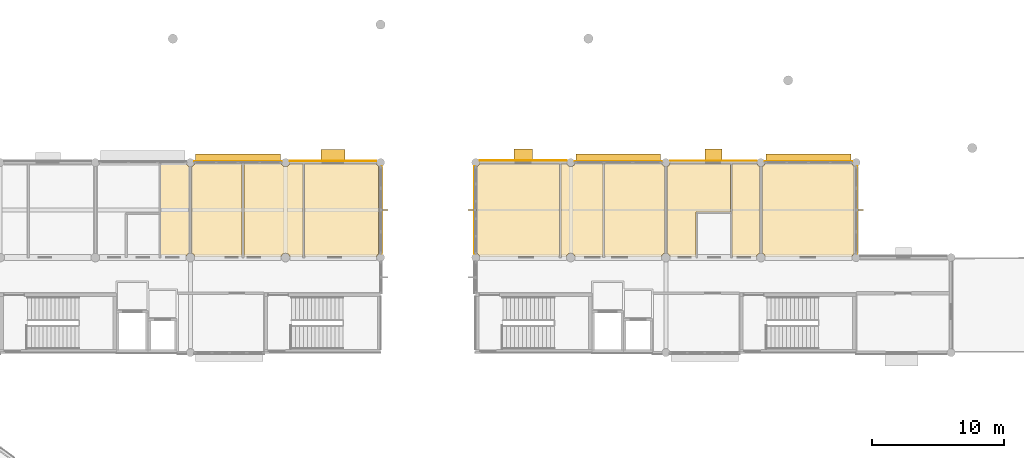
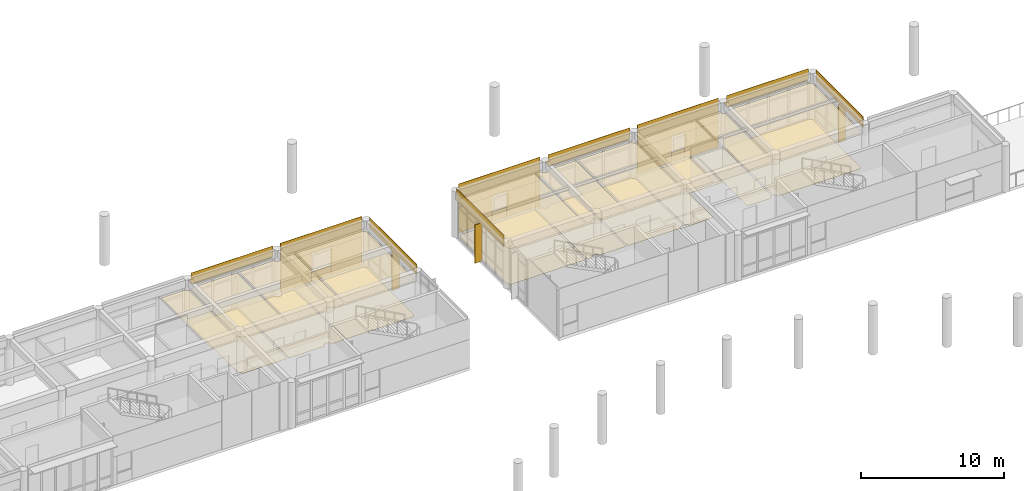
# One storey, part 52 of 55: 37 coverings, 9 shading devices.
"""IFC4 building model written with IfcOpenShell, lengths in metres."""

from ifc_helpers import new_model, si_unit, direction, frame, origin, origin_2d, place, context, subcontext, project, spatial, polyline, rectangle, outline, extrude, material, layer, layer_set, type_object, element, save


model = new_model("IFC4")

# Units and contexts
model_context = context("Model", 3, precision=1e-05, world=origin(), true_north=direction((0.0, 1.0)))
body_context = subcontext(model_context, "Body", "Model", "MODEL_VIEW")
ifc_project = project(units=[si_unit("LENGTHUNIT", "METRE"), si_unit("AREAUNIT", "SQUARE_METRE"), si_unit("VOLUMEUNIT", "CUBIC_METRE"), si_unit("PLANEANGLEUNIT", "RADIAN"), si_unit("MASSUNIT", "GRAM", prefix="KILO")], contexts=[model_context])

# Site, building, storey
site_placement = place(None, origin())
site = spatial("IfcSite", under=ifc_project, at=site_placement, CompositionType="ELEMENT")
building_placement = place(site_placement, origin())
building = spatial("IfcBuilding", under=site, at=building_placement, Name="Namkhue Oval Health Centre", CompositionType="ELEMENT")
storey_placement = place(building_placement, frame((0.0, 0.0, 9.60009765625)))
storey = spatial("IfcBuildingStorey", under=building, at=storey_placement, Name="L02", CompositionType="ELEMENT", Elevation=9.60009765625)

# Coverings
ifc_material_1 = material(Name="Acoustic mineral-fibre cleanroom ceiling", Category="gypsum")
ifc_layer_1 = layer(ifc_material_1, 0.02001953125)
ifc_layer_set_1 = layer_set([ifc_layer_1], Name="Acoustic mineral-fibre cleanroom ceiling")
covering_type_1 = type_object("IfcCoveringType", Name="ACOUSTIC CLEANROOM CEILING 20", PredefinedType="CEILING", material=ifc_layer_set_1)
covering_1_placement = place(storey_placement, frame((0.0, 0.0, 3.0498046875)))
element("IfcCovering", 1, at=covering_1_placement, inside=storey, type_object=covering_type_1, Name="Acoustic Ceiling L02-205 Public Washroom", PredefinedType="CEILING", context=body_context, shape_type="SweptSolid", body=[
    extrude(outline(polyline([(69.739990234375, 97.280029296875), (69.739990234375, 104.31494140625), (71.702392578125, 104.31494140625), (71.7314453125, 104.2451171875), (71.78076171875, 104.180908203125), (71.844970703125, 104.131591796875), (71.919921875, 104.1005859375), (71.929931640625, 104.09912109375), (71.929931640625, 97.52587890625), (71.913330078125, 97.523681640625), (71.83251953125, 97.489990234375), (71.76318359375, 97.43701171875), (71.7099609375, 97.367431640625), (71.675537109375, 97.280029296875), (69.739990234375, 97.280029296875)])), origin(), (0.0, 0.0, 1.0), 0.02001953125),
])
covering_2_placement = place(storey_placement, frame((0.0, 0.0, 3.0498046875)))
element("IfcCovering", 2, at=covering_2_placement, inside=storey, type_object=covering_type_1, Name="Acoustic Ceiling L02-206 Geriatric Examination Room", PredefinedType="CEILING", context=body_context, shape_type="SweptSolid", body=[
    extrude(outline(polyline([(72.324462890625, 97.280029296875), (72.2900390625, 97.367431640625), (72.23681640625, 97.43701171875), (72.16748046875, 97.489990234375), (72.086669921875, 97.523681640625), (72.070068359375, 97.52587890625), (72.070068359375, 104.09912109375), (72.080078125, 104.1005859375), (72.155029296875, 104.131591796875), (72.21923828125, 104.180908203125), (72.2685546875, 104.2451171875), (72.297607421875, 104.31494140625), (75.906982421875, 104.31494140625), (75.906982421875, 97.280029296875), (72.324462890625, 97.280029296875)])), origin(), (0.0, 0.0, 1.0), 0.02001953125),
])
covering_3_placement = place(storey_placement, frame((0.0, 0.0, 3.0498046875)))
element("IfcCovering", 3, at=covering_3_placement, inside=storey, type_object=covering_type_1, Name="Acoustic Ceiling L02-207 Respiratory Function Clinic", PredefinedType="CEILING", context=body_context, shape_type="SweptSolid", body=[
    extrude(outline(polyline([(79.5244140625, 97.280029296875), (79.489990234375, 97.367431640625), (79.43701171875, 97.43701171875), (79.367431640625, 97.489990234375), (79.28662109375, 97.523681640625), (79.199951171875, 97.534912109375), (79.11328125, 97.523681640625), (79.032470703125, 97.489990234375), (78.963134765625, 97.43701171875), (78.909912109375, 97.367431640625), (78.87548828125, 97.280029296875), (76.047119140625, 97.280029296875), (76.047119140625, 104.31494140625), (78.902587890625, 104.31494140625), (78.931396484375, 104.2451171875), (78.980712890625, 104.180908203125), (79.044921875, 104.131591796875), (79.119873046875, 104.1005859375), (79.199951171875, 104.090087890625), (79.2802734375, 104.1005859375), (79.35498046875, 104.131591796875), (79.419189453125, 104.180908203125), (79.468505859375, 104.2451171875), (79.49755859375, 104.31494140625), (80.507080078125, 104.31494140625), (80.507080078125, 97.280029296875), (79.5244140625, 97.280029296875)])), origin(), (0.0, 0.0, 1.0), 0.02001953125),
])
covering_4_placement = place(storey_placement, frame((0.0, 0.0, 3.0498046875)))
element("IfcCovering", 4, at=covering_4_placement, inside=storey, type_object=covering_type_1, Name="Acoustic Ceiling L02-208 Minor Treatment Procedure Room", PredefinedType="CEILING", context=body_context, shape_type="SweptSolid", body=[
    extrude(outline(polyline([(80.64697265625, 97.280029296875), (80.64697265625, 104.31494140625), (86.1025390625, 104.31494140625), (86.131591796875, 104.2451171875), (86.180908203125, 104.180908203125), (86.2451171875, 104.131591796875), (86.2451171875, 97.468505859375), (86.180908203125, 97.419189453125), (86.131591796875, 97.35498046875), (86.1005859375, 97.280029296875), (80.64697265625, 97.280029296875)])), origin(), (0.0, 0.0, 1.0), 0.02001953125),
])
covering_5_placement = place(storey_placement, frame((0.0, 0.0, 3.0498046875)))
element("IfcCovering", 5, at=covering_5_placement, inside=storey, type_object=covering_type_1, Name="Acoustic Ceiling L02-301 Endoscopy Suite", PredefinedType="CEILING", context=body_context, shape_type="SweptSolid", body=[
    extrude(outline(polyline([(93.8994140625, 97.280029296875), (93.868408203125, 97.35498046875), (93.819091796875, 97.419189453125), (93.7548828125, 97.468505859375), (93.7548828125, 104.131591796875), (93.819091796875, 104.180908203125), (93.868408203125, 104.2451171875), (93.8974609375, 104.31494140625), (99.93701171875, 104.31494140625), (99.93701171875, 97.280029296875), (93.8994140625, 97.280029296875)])), origin(), (0.0, 0.0, 1.0), 0.02001953125),
])
covering_6_placement = place(storey_placement, frame((0.0, 0.0, 3.0498046875)))
element("IfcCovering", 6, at=covering_6_placement, inside=storey, type_object=covering_type_1, Name="Acoustic Ceiling L02-302 Scope Decontamination CSSD", PredefinedType="CEILING", context=body_context, shape_type="SweptSolid", body=[
    extrude(outline(polyline([(101.12451171875, 97.280029296875), (101.090087890625, 97.367431640625), (101.036865234375, 97.43701171875), (100.967529296875, 97.489990234375), (100.88671875, 97.523681640625), (100.800048828125, 97.534912109375), (100.71337890625, 97.523681640625), (100.632568359375, 97.489990234375), (100.56298828125, 97.43701171875), (100.510009765625, 97.367431640625), (100.4755859375, 97.280029296875), (100.076904296875, 97.280029296875), (100.076904296875, 104.31494140625), (100.50244140625, 104.31494140625), (100.531494140625, 104.2451171875), (100.580810546875, 104.180908203125), (100.64501953125, 104.131591796875), (100.7197265625, 104.1005859375), (100.800048828125, 104.090087890625), (100.880126953125, 104.1005859375), (100.955078125, 104.131591796875), (101.019287109375, 104.180908203125), (101.068603515625, 104.2451171875), (101.097412109375, 104.31494140625), (103.22705078125, 104.31494140625), (103.22705078125, 97.280029296875), (101.12451171875, 97.280029296875)])), origin(), (0.0, 0.0, 1.0), 0.02001953125),
])
covering_7_placement = place(storey_placement, frame((0.0, 0.0, 3.0498046875)))
element("IfcCovering", 7, at=covering_7_placement, inside=storey, type_object=covering_type_1, Name="Acoustic Ceiling L02-303 Gastroenterology Clinic", PredefinedType="CEILING", context=body_context, shape_type="SweptSolid", body=[
    extrude(outline(polyline([(103.366943359375, 97.280029296875), (103.366943359375, 104.31494140625), (107.702392578125, 104.31494140625), (107.7314453125, 104.2451171875), (107.78076171875, 104.180908203125), (107.844970703125, 104.131591796875), (107.919921875, 104.1005859375), (107.929931640625, 104.09912109375), (107.929931640625, 97.52587890625), (107.913330078125, 97.523681640625), (107.83251953125, 97.489990234375), (107.76318359375, 97.43701171875), (107.7099609375, 97.367431640625), (107.675537109375, 97.280029296875), (103.366943359375, 97.280029296875)])), origin(), (0.0, 0.0, 1.0), 0.02001953125),
])
covering_8_placement = place(storey_placement, frame((0.0, 0.0, 3.0498046875)))
element("IfcCovering", 8, at=covering_8_placement, inside=storey, type_object=covering_type_1, Name="Acoustic Ceiling L02-304 Endoscopy Clean Utility Room", PredefinedType="CEILING", context=body_context, shape_type="SweptSolid", body=[
    extrude(outline(polyline([(112.89990234375, 104.31494140625), (112.89990234375, 100.659912109375), (110.280029296875, 100.659912109375), (110.280029296875, 97.280029296875), (108.324462890625, 97.280029296875), (108.2900390625, 97.367431640625), (108.23681640625, 97.43701171875), (108.16748046875, 97.489990234375), (108.086669921875, 97.523681640625), (108.070068359375, 97.52587890625), (108.070068359375, 104.09912109375), (108.080078125, 104.1005859375), (108.155029296875, 104.131591796875), (108.21923828125, 104.180908203125), (108.2685546875, 104.2451171875), (108.297607421875, 104.31494140625), (112.89990234375, 104.31494140625)])), origin(), (0.0, 0.0, 1.0), 0.02001953125),
])
covering_9_placement = place(storey_placement, frame((0.0, 0.0, 3.0498046875)))
element("IfcCovering", 9, at=covering_9_placement, inside=storey, type_object=covering_type_1, Name="Acoustic Ceiling L02-306 Staff Washroom", PredefinedType="CEILING", context=body_context, shape_type="SweptSolid", body=[
    extrude(outline(polyline([(113.02001953125, 97.280029296875), (113.02001953125, 104.31494140625), (114.902587890625, 104.31494140625), (114.931396484375, 104.2451171875), (114.980712890625, 104.180908203125), (115.044921875, 104.131591796875), (115.119873046875, 104.1005859375), (115.1298828125, 104.09912109375), (115.1298828125, 97.52587890625), (115.11328125, 97.523681640625), (115.032470703125, 97.489990234375), (114.963134765625, 97.43701171875), (114.909912109375, 97.367431640625), (114.87548828125, 97.280029296875), (113.02001953125, 97.280029296875)])), origin(), (0.0, 0.0, 1.0), 0.02001953125),
])
covering_10_placement = place(storey_placement, frame((0.0, 0.0, 3.0498046875)))
element("IfcCovering", 10, at=covering_10_placement, inside=storey, type_object=covering_type_1, Name="Acoustic Ceiling L02-307 Endoscopy Recovery Lounge", PredefinedType="CEILING", context=body_context, shape_type="SweptSolid", body=[
    extrude(outline(polyline([(115.5244140625, 97.280029296875), (115.489990234375, 97.367431640625), (115.43701171875, 97.43701171875), (115.367431640625, 97.489990234375), (115.28662109375, 97.523681640625), (115.27001953125, 97.52587890625), (115.27001953125, 104.09912109375), (115.2802734375, 104.1005859375), (115.35498046875, 104.131591796875), (115.419189453125, 104.180908203125), (115.468505859375, 104.2451171875), (115.49755859375, 104.31494140625), (122.1025390625, 104.31494140625), (122.131591796875, 104.2451171875), (122.180908203125, 104.180908203125), (122.2451171875, 104.131591796875), (122.2451171875, 97.468505859375), (122.180908203125, 97.419189453125), (122.131591796875, 97.35498046875), (122.1005859375, 97.280029296875), (115.5244140625, 97.280029296875)])), origin(), (0.0, 0.0, 1.0), 0.02001953125),
])
ifc_material_2 = material(Name="Homogeneous anti-bacterial clinical vinyl flooring", Category="plastic")
ifc_layer_2 = layer(ifc_material_2, 0.014892578125)
ifc_layer_set_2 = layer_set([ifc_layer_2], Name="Homogeneous anti-bacterial clinical vinyl flooring")
covering_type_2 = type_object("IfcCoveringType", Name="CLINICAL ANTIBACTERIAL VINYL FLOORING 15", PredefinedType="FLOORING", material=ifc_layer_set_2)
covering_11_placement = place(storey_placement, origin())
element("IfcCovering", 11, at=covering_11_placement, inside=storey, type_object=covering_type_2, Name="Clinical Flooring L02-206 Geriatric Examination Room", PredefinedType="FLOORING", context=body_context, shape_type="SweptSolid", body=[
    extrude(outline(polyline([(72.324462890625, 97.280029296875), (72.2900390625, 97.367431640625), (72.23681640625, 97.43701171875), (72.16748046875, 97.489990234375), (72.086669921875, 97.523681640625), (72.070068359375, 97.52587890625), (72.070068359375, 104.09912109375), (72.080078125, 104.1005859375), (72.155029296875, 104.131591796875), (72.21923828125, 104.180908203125), (72.2685546875, 104.2451171875), (72.297607421875, 104.31494140625), (75.906982421875, 104.31494140625), (75.906982421875, 97.280029296875), (72.324462890625, 97.280029296875)])), origin(), (0.0, 0.0, 1.0), 0.014892578125),
])
covering_12_placement = place(storey_placement, origin())
element("IfcCovering", 12, at=covering_12_placement, inside=storey, type_object=covering_type_2, Name="Clinical Flooring L02-207 Respiratory Function Clinic", PredefinedType="FLOORING", context=body_context, shape_type="SweptSolid", body=[
    extrude(outline(polyline([(79.5244140625, 97.280029296875), (79.489990234375, 97.367431640625), (79.43701171875, 97.43701171875), (79.367431640625, 97.489990234375), (79.28662109375, 97.523681640625), (79.199951171875, 97.534912109375), (79.11328125, 97.523681640625), (79.032470703125, 97.489990234375), (78.963134765625, 97.43701171875), (78.909912109375, 97.367431640625), (78.87548828125, 97.280029296875), (76.047119140625, 97.280029296875), (76.047119140625, 104.31494140625), (78.902587890625, 104.31494140625), (78.931396484375, 104.2451171875), (78.980712890625, 104.180908203125), (79.044921875, 104.131591796875), (79.119873046875, 104.1005859375), (79.199951171875, 104.090087890625), (79.2802734375, 104.1005859375), (79.35498046875, 104.131591796875), (79.419189453125, 104.180908203125), (79.468505859375, 104.2451171875), (79.49755859375, 104.31494140625), (80.507080078125, 104.31494140625), (80.507080078125, 97.280029296875), (79.5244140625, 97.280029296875)])), origin(), (0.0, 0.0, 1.0), 0.014892578125),
])
covering_13_placement = place(storey_placement, origin())
element("IfcCovering", 13, at=covering_13_placement, inside=storey, type_object=covering_type_2, Name="Clinical Flooring L02-208 Minor Treatment Procedure Room", PredefinedType="FLOORING", context=body_context, shape_type="SweptSolid", body=[
    extrude(outline(polyline([(80.64697265625, 97.280029296875), (80.64697265625, 104.31494140625), (86.1025390625, 104.31494140625), (86.131591796875, 104.2451171875), (86.180908203125, 104.180908203125), (86.2451171875, 104.131591796875), (86.2451171875, 97.468505859375), (86.180908203125, 97.419189453125), (86.131591796875, 97.35498046875), (86.1005859375, 97.280029296875), (80.64697265625, 97.280029296875)])), origin(), (0.0, 0.0, 1.0), 0.014892578125),
])
covering_14_placement = place(storey_placement, origin())
element("IfcCovering", 14, at=covering_14_placement, inside=storey, type_object=covering_type_2, Name="Clinical Flooring L02-301 Endoscopy Suite", PredefinedType="FLOORING", context=body_context, shape_type="SweptSolid", body=[
    extrude(outline(polyline([(93.8994140625, 97.280029296875), (93.868408203125, 97.35498046875), (93.819091796875, 97.419189453125), (93.7548828125, 97.468505859375), (93.7548828125, 104.131591796875), (93.819091796875, 104.180908203125), (93.868408203125, 104.2451171875), (93.8974609375, 104.31494140625), (99.93701171875, 104.31494140625), (99.93701171875, 97.280029296875), (93.8994140625, 97.280029296875)])), origin(), (0.0, 0.0, 1.0), 0.014892578125),
])
covering_15_placement = place(storey_placement, origin())
element("IfcCovering", 15, at=covering_15_placement, inside=storey, type_object=covering_type_2, Name="Clinical Flooring L02-302 Scope Decontamination CSSD", PredefinedType="FLOORING", context=body_context, shape_type="SweptSolid", body=[
    extrude(outline(polyline([(101.12451171875, 97.280029296875), (101.090087890625, 97.367431640625), (101.036865234375, 97.43701171875), (100.967529296875, 97.489990234375), (100.88671875, 97.523681640625), (100.800048828125, 97.534912109375), (100.71337890625, 97.523681640625), (100.632568359375, 97.489990234375), (100.56298828125, 97.43701171875), (100.510009765625, 97.367431640625), (100.4755859375, 97.280029296875), (100.076904296875, 97.280029296875), (100.076904296875, 104.31494140625), (100.50244140625, 104.31494140625), (100.531494140625, 104.2451171875), (100.580810546875, 104.180908203125), (100.64501953125, 104.131591796875), (100.7197265625, 104.1005859375), (100.800048828125, 104.090087890625), (100.880126953125, 104.1005859375), (100.955078125, 104.131591796875), (101.019287109375, 104.180908203125), (101.068603515625, 104.2451171875), (101.097412109375, 104.31494140625), (103.22705078125, 104.31494140625), (103.22705078125, 97.280029296875), (101.12451171875, 97.280029296875)])), origin(), (0.0, 0.0, 1.0), 0.014892578125),
])
covering_16_placement = place(storey_placement, origin())
element("IfcCovering", 16, at=covering_16_placement, inside=storey, type_object=covering_type_2, Name="Clinical Flooring L02-303 Gastroenterology Clinic", PredefinedType="FLOORING", context=body_context, shape_type="SweptSolid", body=[
    extrude(outline(polyline([(103.366943359375, 97.280029296875), (103.366943359375, 104.31494140625), (107.702392578125, 104.31494140625), (107.7314453125, 104.2451171875), (107.78076171875, 104.180908203125), (107.844970703125, 104.131591796875), (107.919921875, 104.1005859375), (107.929931640625, 104.09912109375), (107.929931640625, 97.52587890625), (107.913330078125, 97.523681640625), (107.83251953125, 97.489990234375), (107.76318359375, 97.43701171875), (107.7099609375, 97.367431640625), (107.675537109375, 97.280029296875), (103.366943359375, 97.280029296875)])), origin(), (0.0, 0.0, 1.0), 0.014892578125),
])
covering_17_placement = place(storey_placement, origin())
element("IfcCovering", 17, at=covering_17_placement, inside=storey, type_object=covering_type_2, Name="Clinical Flooring L02-304 Endoscopy Clean Utility Room", PredefinedType="FLOORING", context=body_context, shape_type="SweptSolid", body=[
    extrude(outline(polyline([(112.89990234375, 104.31494140625), (112.89990234375, 100.659912109375), (110.280029296875, 100.659912109375), (110.280029296875, 97.280029296875), (108.324462890625, 97.280029296875), (108.2900390625, 97.367431640625), (108.23681640625, 97.43701171875), (108.16748046875, 97.489990234375), (108.086669921875, 97.523681640625), (108.070068359375, 97.52587890625), (108.070068359375, 104.09912109375), (108.080078125, 104.1005859375), (108.155029296875, 104.131591796875), (108.21923828125, 104.180908203125), (108.2685546875, 104.2451171875), (108.297607421875, 104.31494140625), (112.89990234375, 104.31494140625)])), origin(), (0.0, 0.0, 1.0), 0.014892578125),
])
covering_18_placement = place(storey_placement, origin())
element("IfcCovering", 18, at=covering_18_placement, inside=storey, type_object=covering_type_2, Name="Clinical Flooring L02-306 Staff Washroom", PredefinedType="FLOORING", context=body_context, shape_type="SweptSolid", body=[
    extrude(outline(polyline([(113.02001953125, 97.280029296875), (113.02001953125, 104.31494140625), (114.902587890625, 104.31494140625), (114.931396484375, 104.2451171875), (114.980712890625, 104.180908203125), (115.044921875, 104.131591796875), (115.119873046875, 104.1005859375), (115.1298828125, 104.09912109375), (115.1298828125, 97.52587890625), (115.11328125, 97.523681640625), (115.032470703125, 97.489990234375), (114.963134765625, 97.43701171875), (114.909912109375, 97.367431640625), (114.87548828125, 97.280029296875), (113.02001953125, 97.280029296875)])), origin(), (0.0, 0.0, 1.0), 0.014892578125),
])
covering_19_placement = place(storey_placement, origin())
element("IfcCovering", 19, at=covering_19_placement, inside=storey, type_object=covering_type_2, Name="Clinical Flooring L02-307 Endoscopy Recovery Lounge", PredefinedType="FLOORING", context=body_context, shape_type="SweptSolid", body=[
    extrude(outline(polyline([(115.5244140625, 97.280029296875), (115.489990234375, 97.367431640625), (115.43701171875, 97.43701171875), (115.367431640625, 97.489990234375), (115.28662109375, 97.523681640625), (115.27001953125, 97.52587890625), (115.27001953125, 104.09912109375), (115.2802734375, 104.1005859375), (115.35498046875, 104.131591796875), (115.419189453125, 104.180908203125), (115.468505859375, 104.2451171875), (115.49755859375, 104.31494140625), (122.1025390625, 104.31494140625), (122.131591796875, 104.2451171875), (122.180908203125, 104.180908203125), (122.2451171875, 104.131591796875), (122.2451171875, 97.468505859375), (122.180908203125, 97.419189453125), (122.131591796875, 97.35498046875), (122.1005859375, 97.280029296875), (115.5244140625, 97.280029296875)])), origin(), (0.0, 0.0, 1.0), 0.014892578125),
])

# Shading devices
ifc_material_3 = material(Name="Anodised aluminium EN AW-6063 T6", Category="aluminium")
ifc_layer_3 = layer(ifc_material_3, 0.06005859375)
ifc_layer_set_3 = layer_set([ifc_layer_3], Name="Anodised aluminium EN AW-6063 T6")
shading_device_type_1 = type_object("IfcShadingDeviceType", Name="MONSOON SUN LOUVRE 900", PredefinedType="JALOUSIE", material=ifc_layer_set_3)
shading_device_1_placement = place(storey_placement, frame((82.800048828125, 104.945068359375, 2.4599609375), z_axis=(0.0, 0.0, 1.0), x_axis=(-1.0, 0.0, 0.0)))
element("IfcShadingDevice", 20, at=shading_device_1_placement, inside=storey, type_object=shading_device_type_1, Name="Volume V2 L02 Window Monsoon Louvre 82", PredefinedType="JALOUSIE", context=body_context, shape_type="SweptSolid", body=[
    extrude(rectangle(XDim=1.7900390625, YDim=0.89990234375, at=origin_2d()), origin(), (0.0, 0.0, 1.0), 0.06005859375),
])
shading_device_2_placement = place(storey_placement, frame((111.60009765625, 104.965087890625, 2.219970703125), z_axis=(0.0, 0.0, 1.0), x_axis=(-1.0, 0.0, 0.0)))
element("IfcShadingDevice", 21, at=shading_device_2_placement, inside=storey, type_object=shading_device_type_1, Name="Volume V3 L02 Window Monsoon Louvre 150", PredefinedType="JALOUSIE", context=body_context, shape_type="SweptSolid", body=[
    extrude(rectangle(XDim=1.2900390625, YDim=0.89990234375, at=origin_2d()), origin(), (0.0, 0.0, 1.0), 0.06005859375),
])
shading_device_3_placement = place(storey_placement, frame((97.199951171875, 104.969970703125, 2.219970703125), z_axis=(0.0, 0.0, 1.0), x_axis=(-1.0, 0.0, 0.0)))
element("IfcShadingDevice", 22, at=shading_device_3_placement, inside=storey, type_object=shading_device_type_1, Name="Volume V3 L02 Window Monsoon Louvre 152", PredefinedType="JALOUSIE", context=body_context, shape_type="SweptSolid", body=[
    extrude(rectangle(XDim=1.389892578125, YDim=0.89990234375, at=origin_2d()), origin(), (0.0, 0.0, 1.0), 0.06005859375),
])
ifc_layer_4 = layer(ifc_material_3, 0.050048828125)
ifc_layer_set_4 = layer_set([ifc_layer_4], Name="Anodised aluminium EN AW-6063 T6")
shading_device_type_2 = type_object("IfcShadingDeviceType", Name="STORM SHUTTER LOUVRE 650", PredefinedType="SHUTTER", material=ifc_layer_set_4)
for number, where, z_axis, x_axis, name in (
    (23, (75.60009765625, 104.72509765625, 3.22998046875), (0.0, 0.0, 1.0), (-1.0, 0.0, 0.0), "Volume V2 L02 Horizontal Monsoon Sun Louvre 83"),
    (24, (118.800048828125, 104.72509765625, 3.204833984375), (0.0, 0.0, 1.0), (-1.0, 0.0, 0.0), "Volume V3 L02 Horizontal Monsoon Sun Louvre 149"),
    (25, (104.39990234375, 104.72509765625, 3.204833984375), (0.0, 0.0, 1.0), (-1.0, 0.0, 0.0), "Volume V3 L02 Horizontal Monsoon Sun Louvre 151"),
):
    element("IfcShadingDevice", number, at=place(storey_placement, frame(where, z_axis=z_axis, x_axis=x_axis)), inside=storey, type_object=shading_device_type_2, Name=name, PredefinedType="SHUTTER", context=body_context, shape_type="SweptSolid", body=[
        extrude(rectangle(XDim=6.409912109375, YDim=0.64990234375, at=origin_2d()), origin(), (0.0, 0.0, 1.0), 0.06005859375),
    ])
shading_device_type_3 = type_object("IfcShadingDeviceType", Name="VERTICAL SOLAR FIN 600", PredefinedType="USERDEFINED", material=ifc_material_3)
shading_device_4_placement = place(storey_placement, frame((86.659912109375, 100.800048828125, 0.0), z_axis=(0.0, 0.0, 1.0), x_axis=(1.0, 0.0, 0.0)))
element("IfcShadingDevice", 26, at=shading_device_4_placement, inside=storey, type_object=shading_device_type_3, Name="Volume V2 L02 Extruded Aluminium Solar Fin 81", ObjectType="SOLAR FIN", PredefinedType="USERDEFINED", context=body_context, shape_type="SweptSolid", body=[
    extrude(rectangle(XDim=0.60009765625, YDim=0.06005859375, at=origin_2d()), origin(), (0.0, 0.0, 1.0), 3.300048828125),
])
for number, where, z_axis, x_axis, name in (
    (27, (122.659912109375, 100.800048828125, 0.0), (0.0, 0.0, 1.0), (1.0, 0.0, 0.0), "Volume V3 L02 Extruded Aluminium Solar Fin 148"),
    (28, (93.340087890625, 100.800048828125, 0.0), (0.0, 0.0, 1.0), (-1.0, 0.0, 0.0), "Volume V3 L02 Extruded Aluminium Solar Fin 153"),
):
    element("IfcShadingDevice", number, at=place(storey_placement, frame(where, z_axis=z_axis, x_axis=x_axis)), inside=storey, type_object=shading_device_type_3, Name=name, ObjectType="SOLAR FIN", PredefinedType="USERDEFINED", context=body_context, shape_type="SweptSolid", body=[
        extrude(rectangle(XDim=0.60009765625, YDim=0.06005859375, at=origin_2d()), origin(), (0.0, 0.0, 1.0), 3.27490234375),
    ])

# Coverings
ifc_material_4 = material(Name="White glass-fibre reinforced concrete GRC rainscreen cladding", Category="concrete")
ifc_layer_5 = layer(ifc_material_4, 0.02490234375)
ifc_layer_set_5 = layer_set([ifc_layer_5], Name="White glass-fibre reinforced concrete GRC rainscreen cladding")
covering_type_3 = type_object("IfcCoveringType", Name="WHITE GRC RAINSCREEN CLADDING 25", PredefinedType="CLADDING", material=ifc_layer_set_5)
covering_20_placement = place(storey_placement, frame((86.488525390625, 100.800048828125, 3.284912109375), z_axis=(0.0, 0.0, 1.0), x_axis=(0.0, 1.0, 0.0)))
element("IfcCovering", 29, at=covering_20_placement, inside=storey, type_object=covering_type_3, Name="Volume V2 L02 Curtain Wall Spandrel Cladding 64", PredefinedType="CLADDING", context=body_context, shape_type="SweptSolid", body=[
    extrude(rectangle(XDim=6.60009765625, YDim=0.02490234375, at=origin_2d()), origin(), (0.0, 0.0, 1.0), 0.9150390625),
])
covering_21_placement = place(storey_placement, frame((82.800048828125, 104.51708984375, 2.455078125), z_axis=(0.0, 0.0, 1.0), x_axis=(-1.0, 0.0, 0.0)))
element("IfcCovering", 30, at=covering_21_placement, inside=storey, type_object=covering_type_3, Name="Volume V2 L02 Facade 36 White GRC Cladding 1", PredefinedType="CLADDING", context=body_context, shape_type="SweptSolid", body=[
    extrude(rectangle(XDim=6.570068359375, YDim=0.02490234375, at=origin_2d()), origin(), (0.0, 0.0, 1.0), 1.735107421875),
])
covering_22_placement = place(storey_placement, frame((84.83740234375, 104.51708984375, 0.010009765625), z_axis=(0.0, 0.0, 1.0), x_axis=(-1.0, 0.0, 0.0)))
element("IfcCovering", 31, at=covering_22_placement, inside=storey, type_object=covering_type_3, Name="Volume V2 L02 Facade 36 White GRC Cladding 2", PredefinedType="CLADDING", context=body_context, shape_type="SweptSolid", body=[
    extrude(rectangle(XDim=2.4951171875, YDim=0.02490234375, at=origin_2d()), origin(), (0.0, 0.0, 1.0), 2.43994140625),
])
covering_23_placement = place(storey_placement, frame((82.800048828125, 104.51708984375, 0.010009765625), z_axis=(0.0, 0.0, 1.0), x_axis=(-1.0, 0.0, 0.0)))
element("IfcCovering", 32, at=covering_23_placement, inside=storey, type_object=covering_type_3, Name="Volume V2 L02 Facade 36 White GRC Cladding 3", PredefinedType="CLADDING", context=body_context, shape_type="SweptSolid", body=[
    extrude(rectangle(XDim=1.570068359375, YDim=0.02490234375, at=origin_2d()), origin(), (0.0, 0.0, 1.0), 0.875),
])
covering_24_placement = place(storey_placement, frame((80.762451171875, 104.51708984375, 0.010009765625), z_axis=(0.0, 0.0, 1.0), x_axis=(-1.0, 0.0, 0.0)))
element("IfcCovering", 33, at=covering_24_placement, inside=storey, type_object=covering_type_3, Name="Volume V2 L02 Facade 36 White GRC Cladding 4", PredefinedType="CLADDING", context=body_context, shape_type="SweptSolid", body=[
    extrude(rectangle(XDim=2.4951171875, YDim=0.02490234375, at=origin_2d()), origin(), (0.0, 0.0, 1.0), 2.43994140625),
])
covering_25_placement = place(storey_placement, frame((75.60009765625, 104.488525390625, 3.284912109375), z_axis=(0.0, 0.0, 1.0), x_axis=(-1.0, 0.0, 0.0)))
element("IfcCovering", 34, at=covering_25_placement, inside=storey, type_object=covering_type_3, Name="Volume V2 L02 Curtain Wall Spandrel Cladding 65", PredefinedType="CLADDING", context=body_context, shape_type="SweptSolid", body=[
    extrude(rectangle(XDim=6.60009765625, YDim=0.02490234375, at=origin_2d()), origin(), (0.0, 0.0, 1.0), 0.9150390625),
])
for number, where, z_axis, x_axis, name in (
    (35, (122.488525390625, 100.800048828125, 3.260009765625), (0.0, 0.0, 1.0), (0.0, 1.0, 0.0), "Volume V3 L02 Curtain Wall Spandrel Cladding 112"),
    (36, (118.800048828125, 104.488525390625, 3.260009765625), (0.0, 0.0, 1.0), (-1.0, 0.0, 0.0), "Volume V3 L02 Curtain Wall Spandrel Cladding 113"),
):
    element("IfcCovering", number, at=place(storey_placement, frame(where, z_axis=z_axis, x_axis=x_axis)), inside=storey, type_object=covering_type_3, Name=name, PredefinedType="CLADDING", context=body_context, shape_type="SweptSolid", body=[
        extrude(rectangle(XDim=6.60009765625, YDim=0.02490234375, at=origin_2d()), origin(), (0.0, 0.0, 1.0), 0.93994140625),
    ])
covering_26_placement = place(storey_placement, frame((111.60009765625, 104.537109375, 2.21484375), z_axis=(0.0, 0.0, 1.0), x_axis=(-1.0, 0.0, 0.0)))
element("IfcCovering", 37, at=covering_26_placement, inside=storey, type_object=covering_type_3, Name="Volume V3 L02 Facade 72 White GRC Cladding 1", PredefinedType="CLADDING", context=body_context, shape_type="SweptSolid", body=[
    extrude(rectangle(XDim=6.570068359375, YDim=0.02490234375, at=origin_2d()), origin(), (0.0, 0.0, 1.0), 1.97509765625),
])
covering_27_placement = place(storey_placement, frame((113.512451171875, 104.537109375, 0.009765625), z_axis=(0.0, 0.0, 1.0), x_axis=(-1.0, 0.0, 0.0)))
element("IfcCovering", 38, at=covering_27_placement, inside=storey, type_object=covering_type_3, Name="Volume V3 L02 Facade 72 White GRC Cladding 2", PredefinedType="CLADDING", context=body_context, shape_type="SweptSolid", body=[
    extrude(rectangle(XDim=2.7451171875, YDim=0.02490234375, at=origin_2d()), origin(), (0.0, 0.0, 1.0), 2.199951171875),
])
covering_28_placement = place(storey_placement, frame((111.60009765625, 104.537109375, 0.010009765625), z_axis=(0.0, 0.0, 1.0), x_axis=(-1.0, 0.0, 0.0)))
element("IfcCovering", 39, at=covering_28_placement, inside=storey, type_object=covering_type_3, Name="Volume V3 L02 Facade 72 White GRC Cladding 3", PredefinedType="CLADDING", context=body_context, shape_type="SweptSolid", body=[
    extrude(rectangle(XDim=1.070068359375, YDim=0.02490234375, at=origin_2d()), origin(), (0.0, 0.0, 1.0), 0.875),
])
covering_29_placement = place(storey_placement, frame((109.6875, 104.537109375, 0.009765625), z_axis=(0.0, 0.0, 1.0), x_axis=(-1.0, 0.0, 0.0)))
element("IfcCovering", 40, at=covering_29_placement, inside=storey, type_object=covering_type_3, Name="Volume V3 L02 Facade 72 White GRC Cladding 4", PredefinedType="CLADDING", context=body_context, shape_type="SweptSolid", body=[
    extrude(rectangle(XDim=2.7451171875, YDim=0.02490234375, at=origin_2d()), origin(), (0.0, 0.0, 1.0), 2.199951171875),
])
covering_30_placement = place(storey_placement, frame((104.39990234375, 104.488525390625, 3.260009765625), z_axis=(0.0, 0.0, 1.0), x_axis=(-1.0, 0.0, 0.0)))
element("IfcCovering", 41, at=covering_30_placement, inside=storey, type_object=covering_type_3, Name="Volume V3 L02 Curtain Wall Spandrel Cladding 114", PredefinedType="CLADDING", context=body_context, shape_type="SweptSolid", body=[
    extrude(rectangle(XDim=6.60009765625, YDim=0.02490234375, at=origin_2d()), origin(), (0.0, 0.0, 1.0), 0.93994140625),
])
covering_31_placement = place(storey_placement, frame((97.199951171875, 104.5419921875, 2.21484375), z_axis=(0.0, 0.0, 1.0), x_axis=(-1.0, 0.0, 0.0)))
element("IfcCovering", 42, at=covering_31_placement, inside=storey, type_object=covering_type_3, Name="Volume V3 L02 Facade 73 White GRC Cladding 1", PredefinedType="CLADDING", context=body_context, shape_type="SweptSolid", body=[
    extrude(rectangle(XDim=6.570068359375, YDim=0.02490234375, at=origin_2d()), origin(), (0.0, 0.0, 1.0), 1.97509765625),
])
covering_32_placement = place(storey_placement, frame((99.137451171875, 104.5419921875, 0.009765625), z_axis=(0.0, 0.0, 1.0), x_axis=(-1.0, 0.0, 0.0)))
element("IfcCovering", 43, at=covering_32_placement, inside=storey, type_object=covering_type_3, Name="Volume V3 L02 Facade 73 White GRC Cladding 2", PredefinedType="CLADDING", context=body_context, shape_type="SweptSolid", body=[
    extrude(rectangle(XDim=2.695068359375, YDim=0.02490234375, at=origin_2d()), origin(), (0.0, 0.0, 1.0), 2.199951171875),
])
covering_33_placement = place(storey_placement, frame((97.199951171875, 104.5419921875, 0.010009765625), z_axis=(0.0, 0.0, 1.0), x_axis=(-1.0, 0.0, 0.0)))
element("IfcCovering", 44, at=covering_33_placement, inside=storey, type_object=covering_type_3, Name="Volume V3 L02 Facade 73 White GRC Cladding 3", PredefinedType="CLADDING", context=body_context, shape_type="SweptSolid", body=[
    extrude(rectangle(XDim=1.169921875, YDim=0.02490234375, at=origin_2d()), origin(), (0.0, 0.0, 1.0), 0.875),
])
covering_34_placement = place(storey_placement, frame((95.262451171875, 104.5419921875, 0.009765625), z_axis=(0.0, 0.0, 1.0), x_axis=(-1.0, 0.0, 0.0)))
element("IfcCovering", 45, at=covering_34_placement, inside=storey, type_object=covering_type_3, Name="Volume V3 L02 Facade 73 White GRC Cladding 4", PredefinedType="CLADDING", context=body_context, shape_type="SweptSolid", body=[
    extrude(rectangle(XDim=2.695068359375, YDim=0.02490234375, at=origin_2d()), origin(), (0.0, 0.0, 1.0), 2.199951171875),
])
covering_35_placement = place(storey_placement, frame((93.511474609375, 100.800048828125, 3.260009765625), z_axis=(0.0, 0.0, 1.0), x_axis=(0.0, -1.0, 0.0)))
element("IfcCovering", 46, at=covering_35_placement, inside=storey, type_object=covering_type_3, Name="Volume V3 L02 Curtain Wall Spandrel Cladding 115", PredefinedType="CLADDING", context=body_context, shape_type="SweptSolid", body=[
    extrude(rectangle(XDim=6.60009765625, YDim=0.02490234375, at=origin_2d()), origin(), (0.0, 0.0, 1.0), 0.93994140625),
])

save(model, "model.ifc")
